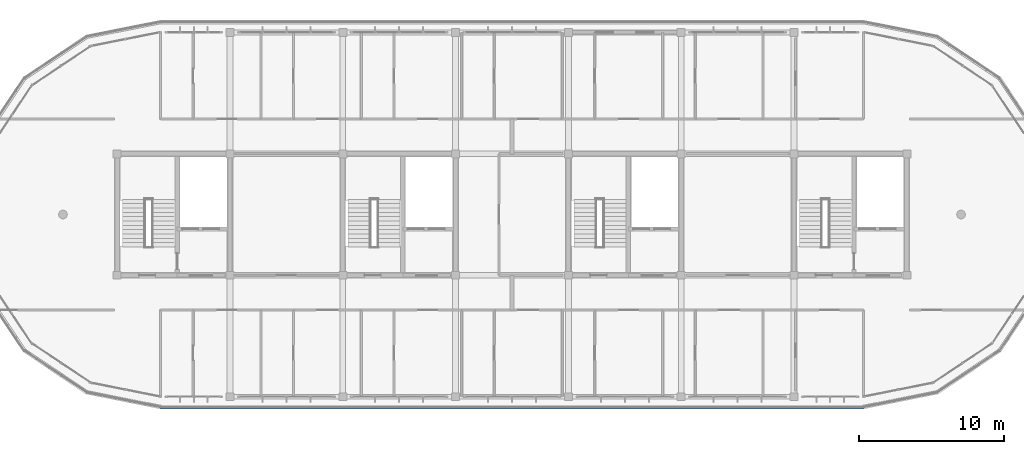
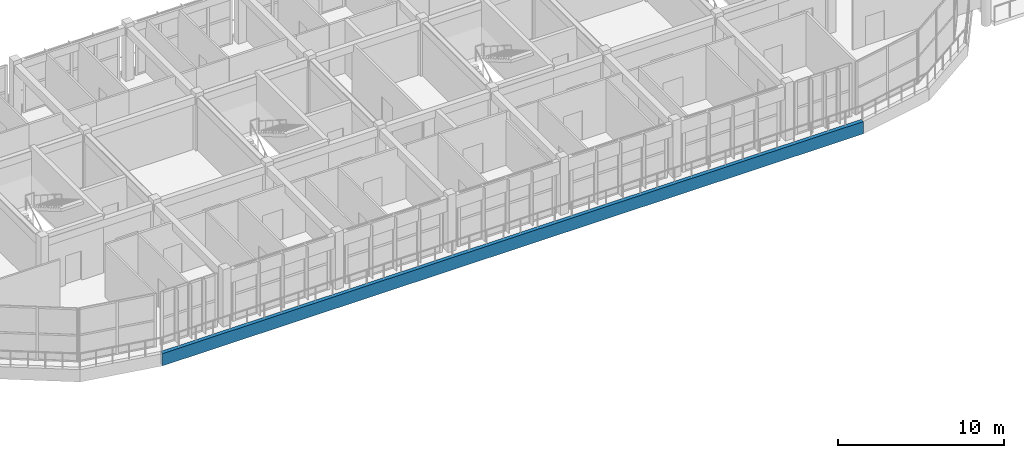
# One storey, part 31 of 44: 1 plate.
"""IFC4 building model written with IfcOpenShell, lengths in metres."""

from ifc_helpers import new_model, si_unit, direction, frame, origin, place, context, subcontext, project, spatial, polyline, outline, extrude, material, layer, layer_set, type_object, element, save


model = new_model("IFC4")

# Units and contexts
model_context = context("Model", 3, precision=1e-05, world=origin(), true_north=direction((0.0, 1.0)))
body_context = subcontext(model_context, "Body", "Model", "MODEL_VIEW")
ifc_project = project(units=[si_unit("LENGTHUNIT", "METRE"), si_unit("AREAUNIT", "SQUARE_METRE"), si_unit("VOLUMEUNIT", "CUBIC_METRE"), si_unit("PLANEANGLEUNIT", "RADIAN"), si_unit("MASSUNIT", "GRAM", prefix="KILO")], contexts=[model_context])

# Site, building, storey
site_placement = place(None, origin())
site = spatial("IfcSite", under=ifc_project, at=site_placement, CompositionType="ELEMENT")
building_placement = place(site_placement, origin())
building = spatial("IfcBuilding", under=site, at=building_placement, Name="Zizhar Promenade General Hospital", CompositionType="ELEMENT")
storey_placement = place(building_placement, frame((0.0, 0.0, 34.800048828125)))
storey = spatial("IfcBuildingStorey", under=building, at=storey_placement, Name="L08", CompositionType="ELEMENT", Elevation=34.800048828125)

# Plate
ifc_material = material(Name="Precast concrete C40/50", Category="concrete")
ifc_layer = layer(ifc_material, 0.260009765625)
ifc_layer_set = layer_set([ifc_layer], Name="Precast concrete C40/50")
plate_type = type_object("IfcPlateType", Name="PL-PC-BAND950", PredefinedType="USERDEFINED", material=ifc_layer_set)
plate_placement = place(storey_placement, frame((0.0, 0.0, -0.900146484375)))
element("IfcPlate", 1, at=plate_placement, inside=storey, type_object=plate_type, Name="Ward Precast Slab Band L08-18", ObjectType="FASCIA_BAND", PredefinedType="USERDEFINED", context=body_context, shape_type="SweptSolid", body=[
    extrude(outline(polyline([(49.800048828125, -0.85009765625), (98.39990234375, -0.85009765625), (98.39990234375, -0.590087890625), (49.800048828125, -0.590087890625), (49.800048828125, -0.85009765625)])), origin(), (0.0, 0.0, 1.0), 0.900146484375),
])

save(model, "model.ifc")
